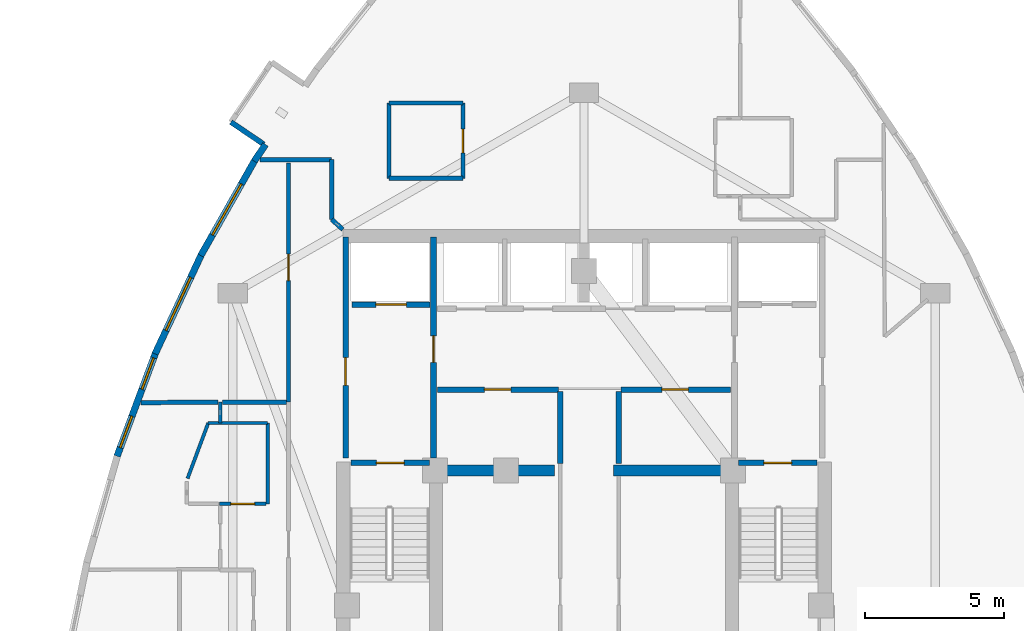
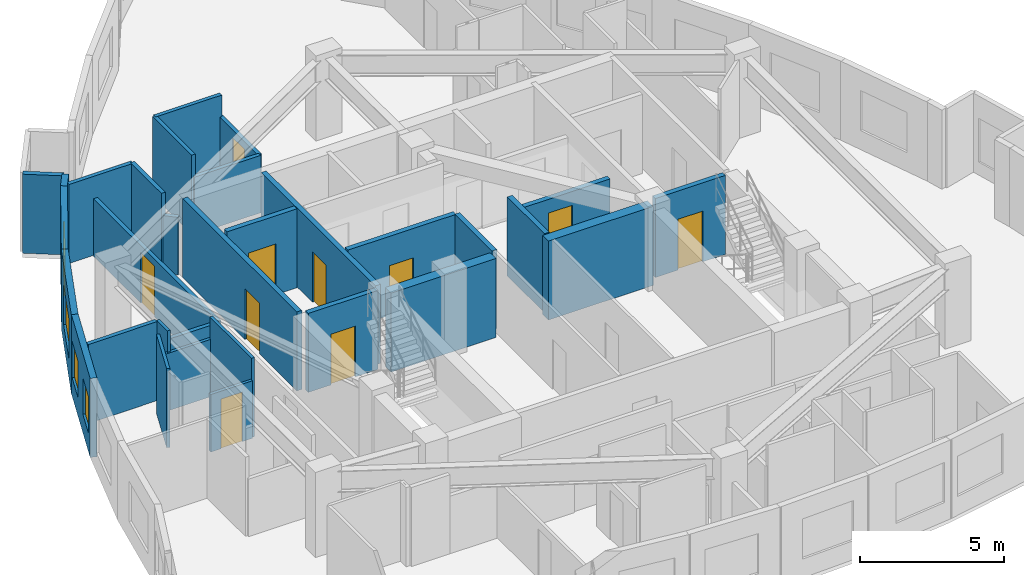
# One storey, part 9 of 13: 31 walls, 10 doors, 4 windows, 14 openings.
"""IFC4 building model written with IfcOpenShell, lengths in metres."""

from ifc_helpers import new_model, si_unit, direction, frame, frame_2d, origin, place, context, subcontext, project, spatial, rectangle, extrude, material, layer, layer_set, type_object, element, fill, save


model = new_model("IFC4")

# Units and contexts
model_context = context("Model", 3, precision=1e-05, world=origin(), true_north=direction((0.0, 1.0)))
body_context = subcontext(model_context, "Body", "Model", "MODEL_VIEW")
ifc_project = project(units=[si_unit("LENGTHUNIT", "METRE"), si_unit("AREAUNIT", "SQUARE_METRE"), si_unit("VOLUMEUNIT", "CUBIC_METRE"), si_unit("PLANEANGLEUNIT", "RADIAN"), si_unit("MASSUNIT", "GRAM", prefix="KILO")], contexts=[model_context])

# Site, building, storey
site_placement = place(None, origin())
site = spatial("IfcSite", under=ifc_project, at=site_placement, CompositionType="ELEMENT")
building_placement = place(site_placement, origin())
building = spatial("IfcBuilding", under=site, at=building_placement, Name="Miruveldt Soraemaru", CompositionType="ELEMENT")
storey_placement = place(building_placement, frame((0.0, 0.0, 198.0)))
storey = spatial("IfcBuildingStorey", under=building, at=storey_placement, Name="L54", CompositionType="ELEMENT", Elevation=198.0)

# Walls
ifc_material_1 = material(Name="White powder-coated aluminium EN AW-6060 T6", Category="aluminium")
ifc_layer_1 = layer(ifc_material_1, 0.18994140625, Name="White powder-coated aluminium EN AW-6060 T6", Category="aluminium")
ifc_layer_set_1 = layer_set([ifc_layer_1], Name="White powder-coated aluminium EN AW-6060 T6")
wall_type_1 = type_object("IfcWallType", Name="WALL-BAY-ALU190", PredefinedType="SOLIDWALL", material=ifc_layer_set_1)
wall_1_placement = place(storey_placement, frame((31.33349609375, 56.547119140625, 0.0), z_axis=(0.0, 0.0, 1.0), x_axis=(0.827862228344, -0.560931485016, 0.0)))
element("IfcWall", 1, at=wall_1_placement, inside=storey, type_object=wall_type_1, Name="L54 Bay Window Side Cheek 1R", PredefinedType="SOLIDWALL", context=body_context, shape_type="SweptSolid", body=[
    extrude(rectangle(XDim=1.425048828125, YDim=0.18994140625, at=frame_2d((0.71240234375, 0.0))), origin(), (0.0, 0.0, 1.0), 3.344970703125),
])
ifc_material_2 = material(Name="Concrete C70/85 (70 MPa)", Category="concrete")
ifc_layer_2 = layer(ifc_material_2, 0.5, Name="Concrete C70/85 (70 MPa)", Category="concrete")
ifc_layer_set_2 = layer_set([ifc_layer_2], Name="Concrete C70/85 (70 MPa)")
wall_type_2 = type_object("IfcWallType", Name="WALL-BW-500", PredefinedType="SHEAR", material=ifc_layer_set_2)
for number, where, z_axis, x_axis, name in (
    (2, (38.75, 44.050048828125, 0.0), (0.0, 0.0, 1.0), (1.0, 0.0, 0.0), "L54 Core Buttress Shear Wall BW"),
    (3, (45.050048828125, 44.050048828125, 0.0), (0.0, 0.0, 1.0), (1.0, 0.0, 0.0), "L54 Core Buttress Shear Wall BE"),
):
    element("IfcWall", number, at=place(storey_placement, frame(where, z_axis=z_axis, x_axis=x_axis)), inside=storey, type_object=wall_type_2, Name=name, PredefinedType="SHEAR", context=body_context, shape_type="SweptSolid", body=[
        extrude(rectangle(XDim=4.199951171875, YDim=0.39990234375, at=frame_2d((2.10009765625, 0.0))), origin(), (0.0, 0.0, 1.0), 3.344970703125),
    ])
ifc_material_3 = material(Name="Precast concrete C45/55 (45 MPa)", Category="concrete")
ifc_layer_3 = layer(ifc_material_3, 0.239990234375, Name="Precast concrete C45/55 (45 MPa)", Category="concrete")
ifc_layer_set_3 = layer_set([ifc_layer_3], Name="Precast concrete C45/55 (45 MPa)")
wall_type_3 = type_object("IfcWallType", Name="WALL-EXT-PC240", PredefinedType="SOLIDWALL", material=ifc_layer_set_3)
wall_2_placement = place(storey_placement, frame((32.575439453125, 55.74169921875, 0.0), z_axis=(0.0, 0.0, 1.0), x_axis=(-0.560765978718, -0.827974345685, 0.0)))
element("IfcWall", 4, at=wall_2_placement, inside=storey, type_object=wall_type_3, Name="L54 Precast Pier Wall 9B", PredefinedType="SOLIDWALL", context=body_context, shape_type="SweptSolid", body=[
    extrude(rectangle(XDim=0.72265625, YDim=0.239990234375, at=frame_2d((0.361328125, 0.0))), origin(), (0.0, 0.0, 1.0), 3.344970703125),
])

# Wall, opening, window
wall_3_placement = place(storey_placement, frame((32.20703125, 55.20263671875, 0.0), z_axis=(0.0, 0.0, 1.0), x_axis=(-0.493374910117, -0.869816761202, 0.0)))
wall_3 = element("IfcWall", 5, at=wall_3_placement, inside=storey, type_object=wall_type_3, Name="L54 Precast Concrete Facade Wall 10", PredefinedType="SOLIDWALL", context=body_context, shape_type="SweptSolid", body=[
    extrude(rectangle(XDim=3.960693359375, YDim=0.239990234375, at=frame_2d((1.98046875, 0.0))), origin(), (0.0, 0.0, 1.0), 3.344970703125),
])
opening_1_placement = place(wall_3_placement, frame((1.010986328125, 0.0, 0.800048828125)))
opening_1 = element("IfcOpeningElement", 6, at=opening_1_placement, cuts=wall_3, Name="Opening WN-1", PredefinedType="OPENING", context=body_context, shape_type="SweptSolid", body=[
    extrude(rectangle(XDim=2.10009765625, YDim=1.699951171875, at=frame_2d((1.050048828125, 0.85009765625))), frame((0.0, 0.1298828125, 0.0), z_axis=(0.0, -1.0, 0.0), x_axis=(1.0, 0.0, 0.0)), (0.0, 0.0, 1.0), 0.260009765625),
])
ifc_material_4 = material(Name="Triple low-e insulated glazing", Category="glass")
window_type_1 = type_object("IfcWindowType", Name="WIN-PUNCH-2100x1700", PartitioningType="SINGLE_PANEL", PredefinedType="WINDOW", material=ifc_material_4)
window_1_placement = place(opening_1_placement, origin())
window_1 = element("IfcWindow", 7, at=window_1_placement, inside=storey, type_object=window_type_1, Name="L54 Punched Triple-Glazed Window 10.1", OverallHeight=1.699951171875, OverallWidth=2.10009765625, PartitioningType="SINGLE_PANEL", PredefinedType="WINDOW", context=body_context, shape_type="SweptSolid", body=[
    extrude(rectangle(XDim=2.10009765625, YDim=1.699951171875, at=frame_2d((1.050048828125, 0.85009765625))), frame((0.0, 0.030029296875, 0.0), z_axis=(0.0, -1.0, 0.0), x_axis=(1.0, 0.0, 0.0)), (0.0, 0.0, 1.0), 0.06005859375),
])
fill(opening_1, window_1)

wall_4_placement = place(storey_placement, frame((30.28515625, 51.819580078125, 0.0), z_axis=(0.0, 0.0, 1.0), x_axis=(-0.422311701836, -0.906450675157, 0.0)))
wall_4 = element("IfcWall", 8, at=wall_4_placement, inside=storey, type_object=wall_type_3, Name="L54 Precast Concrete Facade Wall 11", PredefinedType="SOLIDWALL", context=body_context, shape_type="SweptSolid", body=[
    extrude(rectangle(XDim=3.960693359375, YDim=0.239990234375, at=frame_2d((1.98046875, 0.0))), origin(), (0.0, 0.0, 1.0), 3.344970703125),
])
opening_2_placement = place(wall_4_placement, frame((0.930908203125, 0.0, 0.800048828125)))
opening_2 = element("IfcOpeningElement", 9, at=opening_2_placement, cuts=wall_4, Name="Opening WN-1", PredefinedType="OPENING", context=body_context, shape_type="SweptSolid", body=[
    extrude(rectangle(XDim=2.10009765625, YDim=1.699951171875, at=frame_2d((1.050048828125, 0.85009765625))), frame((0.0, 0.1298828125, 0.0), z_axis=(0.0, -1.0, 0.0), x_axis=(1.0, 0.0, 0.0)), (0.0, 0.0, 1.0), 0.260009765625),
])
window_2_placement = place(opening_2_placement, origin())
window_2 = element("IfcWindow", 10, at=window_2_placement, inside=storey, type_object=window_type_1, Name="L54 Punched Triple-Glazed Window 11.1", OverallHeight=1.699951171875, OverallWidth=2.10009765625, PartitioningType="SINGLE_PANEL", PredefinedType="WINDOW", context=body_context, shape_type="SweptSolid", body=[
    extrude(rectangle(XDim=2.10009765625, YDim=1.699951171875, at=frame_2d((1.050048828125, 0.85009765625))), frame((0.0, 0.030029296875, 0.0), z_axis=(0.0, -1.0, 0.0), x_axis=(1.0, 0.0, 0.0)), (0.0, 0.0, 1.0), 0.06005859375),
])
fill(opening_2, window_2)

# Wall, openings, windows
wall_5_placement = place(storey_placement, frame((28.639404296875, 48.294189453125, 0.0), z_axis=(0.0, 0.0, 1.0), x_axis=(-0.348967690972, -0.937134755869, 0.0)))
wall_5 = element("IfcWall", 11, at=wall_5_placement, inside=storey, type_object=wall_type_3, Name="L54 Precast Concrete Facade Wall 12", PredefinedType="SOLIDWALL", context=body_context, shape_type="SweptSolid", body=[
    extrude(rectangle(XDim=3.985595703125, YDim=0.239990234375, at=frame_2d((1.99267578125, 0.0))), origin(), (0.0, 0.0, 1.0), 3.344970703125),
])
opening_3_placement = place(wall_5_placement, frame((0.222900390625, 0.0, 0.780029296875)))
opening_3 = element("IfcOpeningElement", 12, at=opening_3_placement, cuts=wall_5, Name="Opening WN-4", PredefinedType="OPENING", context=body_context, shape_type="SweptSolid", body=[
    extrude(rectangle(XDim=1.199951171875, YDim=1.550048828125, at=frame_2d((0.60009765625, 0.77490234375))), frame((0.0, 0.1298828125, 0.0), z_axis=(0.0, -1.0, 0.0), x_axis=(1.0, 0.0, 0.0)), (0.0, 0.0, 1.0), 0.260009765625),
])
opening_4_placement = place(wall_5_placement, frame((2.4560546875, 0.0, 0.780029296875)))
opening_4 = element("IfcOpeningElement", 13, at=opening_4_placement, cuts=wall_5, Name="Opening WN-4", PredefinedType="OPENING", context=body_context, shape_type="SweptSolid", body=[
    extrude(rectangle(XDim=1.199951171875, YDim=1.550048828125, at=frame_2d((0.60009765625, 0.77490234375))), frame((0.0, 0.1298828125, 0.0), z_axis=(0.0, -1.0, 0.0), x_axis=(1.0, 0.0, 0.0)), (0.0, 0.0, 1.0), 0.260009765625),
])
window_type_2 = type_object("IfcWindowType", Name="WIN-PUNCH-1200x1550", PartitioningType="SINGLE_PANEL", PredefinedType="WINDOW", material=ifc_material_4)
window_3_placement = place(opening_3_placement, origin())
window_3 = element("IfcWindow", 14, at=window_3_placement, inside=storey, type_object=window_type_2, Name="L54 Punched Triple-Glazed Window 12.1", OverallHeight=1.550048828125, OverallWidth=1.199951171875, PartitioningType="SINGLE_PANEL", PredefinedType="WINDOW", context=body_context, shape_type="SweptSolid", body=[
    extrude(rectangle(XDim=1.199951171875, YDim=1.550048828125, at=frame_2d((0.60009765625, 0.77490234375))), frame((0.0, 0.030029296875, 0.0), z_axis=(0.0, -1.0, 0.0), x_axis=(1.0, 0.0, 0.0)), (0.0, 0.0, 1.0), 0.06005859375),
])
fill(opening_3, window_3)
window_4_placement = place(opening_4_placement, origin())
window_4 = element("IfcWindow", 15, at=window_4_placement, inside=storey, type_object=window_type_2, Name="L54 Punched Triple-Glazed Window 12.2", OverallHeight=1.550048828125, OverallWidth=1.199951171875, PartitioningType="SINGLE_PANEL", PredefinedType="WINDOW", context=body_context, shape_type="SweptSolid", body=[
    extrude(rectangle(XDim=1.199951171875, YDim=1.550048828125, at=frame_2d((0.60009765625, 0.77490234375))), frame((0.0, 0.030029296875, 0.0), z_axis=(0.0, -1.0, 0.0), x_axis=(1.0, 0.0, 0.0)), (0.0, 0.0, 1.0), 0.06005859375),
])
fill(opening_4, window_4)

# Wall, opening, door
ifc_material_5 = material(Name="Gypsum plasterboard lining", Category="gypsum")
ifc_layer_4 = layer(ifc_material_5, 0.1201171875, Name="Gypsum plasterboard lining", Category="gypsum")
ifc_layer_set_4 = layer_set([ifc_layer_4], Name="Gypsum plasterboard lining")
wall_type_4 = type_object("IfcWallType", Name="WALL-INT-P120", PredefinedType="PARTITIONING", material=ifc_layer_set_4)
wall_6_placement = place(storey_placement, frame((32.590087890625, 42.85009765625, 0.0), z_axis=(0.0, 0.0, 1.0), x_axis=(-1.0, 0.0, 0.0)))
wall_6 = element("IfcWall", 16, at=wall_6_placement, inside=storey, type_object=wall_type_4, Name="L54 Partition Wall 36", PredefinedType="PARTITIONING", context=body_context, shape_type="SweptSolid", body=[
    extrude(rectangle(XDim=1.670166015625, YDim=0.1201171875, at=frame_2d((0.8349609375, 0.0))), origin(), (0.0, 0.0, 1.0), 2.43310546875),
])
opening_5_placement = place(wall_6_placement, frame((0.405029296875, 0.0, 0.0)))
opening_5 = element("IfcOpeningElement", 17, at=opening_5_placement, cuts=wall_6, Name="Opening FD3", PredefinedType="OPENING", context=body_context, shape_type="SweptSolid", body=[
    extrude(rectangle(XDim=0.85009765625, YDim=2.10009765625, at=frame_2d((0.425048828125, 1.050048828125))), frame((0.0, 0.070068359375, 0.0), z_axis=(0.0, -1.0, 0.0), x_axis=(1.0, 0.0, 0.0)), (0.0, 0.0, 1.0), 0.14013671875),
])
ifc_material_6 = material(Name="Anodised aluminium EN AW-6063 T6", Category="aluminium")
door_type_1 = type_object("IfcDoorType", Name="DOOR-FD3-850", OperationType="NOTDEFINED", PredefinedType="DOOR", material=ifc_material_6)
door_1_placement = place(opening_5_placement, origin())
door_1 = element("IfcDoor", 18, at=door_1_placement, inside=storey, type_object=door_type_1, Name="L54 Unit 5403 KIT Door", OperationType="SINGLE_SWING_RIGHT", OverallHeight=2.10009765625, OverallWidth=0.85009765625, PredefinedType="DOOR", context=body_context, shape_type="SweptSolid", body=[
    extrude(rectangle(XDim=0.85009765625, YDim=2.10009765625, at=frame_2d((0.425048828125, 1.050048828125))), frame((0.0, 0.02490234375, 0.0), z_axis=(0.0, -1.0, 0.0), x_axis=(1.0, 0.0, 0.0)), (0.0, 0.0, 1.0), 0.050048828125),
])
fill(opening_5, door_1)

# Walls
wall_7_placement = place(storey_placement, frame((32.64990234375, 45.75, 0.0), z_axis=(0.0, 0.0, 1.0), x_axis=(0.0, -1.0, 0.0)))
element("IfcWall", 19, at=wall_7_placement, inside=storey, type_object=wall_type_4, Name="L54 Partition Wall 37", PredefinedType="PARTITIONING", context=body_context, shape_type="SweptSolid", body=[
    extrude(rectangle(XDim=2.89990234375, YDim=0.1201171875, at=frame_2d((1.449951171875, 0.0))), origin(), (0.0, 0.0, 1.0), 3.344970703125),
])
wall_8_placement = place(storey_placement, frame((30.52001953125, 45.75, 0.0), z_axis=(0.0, 0.0, 1.0), x_axis=(1.0, 0.0, 0.0)))
element("IfcWall", 20, at=wall_8_placement, inside=storey, type_object=wall_type_4, Name="L54 Partition Wall 62", PredefinedType="PARTITIONING", context=body_context, shape_type="SweptSolid", body=[
    extrude(rectangle(XDim=2.1298828125, YDim=0.1201171875, at=frame_2d((1.06494140625, 0.0))), origin(), (0.0, 0.0, 1.0), 2.43310546875),
])
wall_9_placement = place(storey_placement, frame((30.52001953125, 45.75, 0.0), z_axis=(0.0, 0.0, 1.0), x_axis=(-0.3491407566, -0.937070291964, 0.0)))
element("IfcWall", 21, at=wall_9_placement, inside=storey, type_object=wall_type_4, Name="L54 Partition Wall 40", PredefinedType="PARTITIONING", context=body_context, shape_type="SweptSolid", body=[
    extrude(rectangle(XDim=2.119384765625, YDim=0.1201171875, at=frame_2d((1.0595703125, 0.0))), origin(), (0.0, 0.0, 1.0), 3.344970703125),
])
wall_10_placement = place(storey_placement, frame((30.949951171875, 46.5, 0.0), z_axis=(0.0, 0.0, 1.0), x_axis=(0.0, -1.0, 0.0)))
element("IfcWall", 22, at=wall_10_placement, inside=storey, type_object=wall_type_4, Name="L54 Partition Wall 38", PredefinedType="PARTITIONING", context=body_context, shape_type="SweptSolid", body=[
    extrude(rectangle(XDim=0.75, YDim=0.1201171875, at=frame_2d((0.375, 0.0))), origin(), (0.0, 0.0, 1.0), 3.344970703125),
])

# Wall, opening, door
ifc_layer_5 = layer(ifc_material_5, 0.14990234375, Name="Gypsum plasterboard lining", Category="gypsum")
ifc_layer_set_5 = layer_set([ifc_layer_5], Name="Gypsum plasterboard lining")
wall_type_5 = type_object("IfcWallType", Name="WALL-INT-PLUMB", PredefinedType="PLUMBINGWALL", material=ifc_layer_set_5)
wall_11_placement = place(storey_placement, frame((39.656982421875, 54.530029296875, 0.0), z_axis=(0.0, 0.0, 1.0), x_axis=(0.0, 1.0, 0.0)))
wall_11 = element("IfcWall", 23, at=wall_11_placement, inside=storey, type_object=wall_type_5, Name="L54 Partition Wall 12", PredefinedType="PLUMBINGWALL", context=body_context, shape_type="SweptSolid", body=[
    extrude(rectangle(XDim=2.699951171875, YDim=0.14990234375, at=frame_2d((1.35009765625, 0.0))), origin(), (0.0, 0.0, 1.0), 2.43310546875),
])
opening_6_placement = place(wall_11_placement, frame((0.909912109375, 0.0, 0.0)))
opening_6 = element("IfcOpeningElement", 24, at=opening_6_placement, cuts=wall_11, Name="Opening FD3", PredefinedType="OPENING", context=body_context, shape_type="SweptSolid", body=[
    extrude(rectangle(XDim=0.85009765625, YDim=2.10009765625, at=frame_2d((0.425048828125, 1.050048828125))), frame((0.0, 0.0849609375, 0.0), z_axis=(0.0, -1.0, 0.0), x_axis=(1.0, 0.0, 0.0)), (0.0, 0.0, 1.0), 0.169921875),
])
door_2_placement = place(opening_6_placement, origin())
door_2 = element("IfcDoor", 25, at=door_2_placement, inside=storey, type_object=door_type_1, Name="L54 Unit 5401 BTH Door", OperationType="SINGLE_SWING_RIGHT", OverallHeight=2.10009765625, OverallWidth=0.85009765625, PredefinedType="DOOR", context=body_context, shape_type="SweptSolid", body=[
    extrude(rectangle(XDim=0.85009765625, YDim=2.10009765625, at=frame_2d((0.425048828125, 1.050048828125))), frame((0.0, 0.02490234375, 0.0), z_axis=(0.0, -1.0, 0.0), x_axis=(1.0, 0.0, 0.0)), (0.0, 0.0, 1.0), 0.050048828125),
])
fill(opening_6, door_2)

# Walls
wall_12_placement = place(storey_placement, frame((37.007080078125, 57.22998046875, 0.0), z_axis=(0.0, 0.0, 1.0), x_axis=(0.0, -1.0, 0.0)))
element("IfcWall", 26, at=wall_12_placement, inside=storey, type_object=wall_type_5, Name="L54 Partition Wall 14", PredefinedType="PLUMBINGWALL", context=body_context, shape_type="SweptSolid", body=[
    extrude(rectangle(XDim=2.699951171875, YDim=0.14990234375, at=frame_2d((1.35009765625, 0.0))), origin(), (0.0, 0.0, 1.0), 3.344970703125),
])
wall_13_placement = place(storey_placement, frame((39.656982421875, 57.22998046875, 0.0), z_axis=(0.0, 0.0, 1.0), x_axis=(-1.0, 0.0, 0.0)))
element("IfcWall", 27, at=wall_13_placement, inside=storey, type_object=wall_type_5, Name="L54 Partition Wall 13", PredefinedType="PLUMBINGWALL", context=body_context, shape_type="SweptSolid", body=[
    extrude(rectangle(XDim=2.64990234375, YDim=0.14990234375, at=frame_2d((1.324951171875, 0.0))), origin(), (0.0, 0.0, 1.0), 3.344970703125),
])
wall_14_placement = place(storey_placement, frame((37.007080078125, 54.530029296875, 0.0), z_axis=(0.0, 0.0, 1.0), x_axis=(1.0, 0.0, 0.0)))
element("IfcWall", 28, at=wall_14_placement, inside=storey, type_object=wall_type_5, Name="L54 Partition Wall 15", PredefinedType="PLUMBINGWALL", context=body_context, shape_type="SweptSolid", body=[
    extrude(rectangle(XDim=2.64990234375, YDim=0.14990234375, at=frame_2d((1.324951171875, 0.0))), origin(), (0.0, 0.0, 1.0), 2.43310546875),
])

# Wall, opening, door
ifc_material_7 = material(Name="Concrete C40/50 (40 MPa)", Category="concrete")
ifc_layer_6 = layer(ifc_material_7, 0.159912109375, Name="Concrete C40/50 (40 MPa)", Category="concrete")
ifc_layer_set_6 = layer_set([ifc_layer_6], Name="Concrete C40/50 (40 MPa)")
wall_type_6 = type_object("IfcWallType", Name="WALL-INT-RC160", PredefinedType="SOLIDWALL", material=ifc_layer_set_6)
wall_15_placement = place(storey_placement, frame((33.39990234375, 55.080078125, 0.0), z_axis=(0.0, 0.0, 1.0), x_axis=(0.0, -1.0, 0.0)))
wall_15 = element("IfcWall", 29, at=wall_15_placement, inside=storey, type_object=wall_type_6, Name="L54 Partition Wall 3", PredefinedType="SOLIDWALL", context=body_context, shape_type="SweptSolid", body=[
    extrude(rectangle(XDim=8.5751953125, YDim=0.159912109375, at=frame_2d((4.28759765625, 0.0))), origin(), (0.0, 0.0, 1.0), 2.43310546875),
])
opening_7_placement = place(wall_15_placement, frame((3.27197265625, 0.0, 0.0)))
opening_7 = element("IfcOpeningElement", 30, at=opening_7_placement, cuts=wall_15, Name="Opening FD2", PredefinedType="OPENING", context=body_context, shape_type="SweptSolid", body=[
    extrude(rectangle(XDim=0.949951171875, YDim=2.14990234375, at=frame_2d((0.47509765625, 1.074951171875))), frame((0.0, 0.08984375, 0.0), z_axis=(0.0, -1.0, 0.0), x_axis=(1.0, 0.0, 0.0)), (0.0, 0.0, 1.0), 0.179931640625),
])
door_type_2 = type_object("IfcDoorType", Name="DOOR-FD2-950", OperationType="NOTDEFINED", PredefinedType="DOOR", material=ifc_material_6)
door_3_placement = place(opening_7_placement, origin())
door_3 = element("IfcDoor", 31, at=door_3_placement, inside=storey, type_object=door_type_2, Name="L54 Unit 5401 Entrance Fire Door", OperationType="SINGLE_SWING_LEFT", OverallHeight=2.14990234375, OverallWidth=0.949951171875, PredefinedType="DOOR", context=body_context, shape_type="SweptSolid", body=[
    extrude(rectangle(XDim=0.949951171875, YDim=2.14990234375, at=frame_2d((0.47509765625, 1.074951171875))), frame((0.0, 0.02490234375, 0.0), z_axis=(0.0, -1.0, 0.0), x_axis=(1.0, 0.0, 0.0)), (0.0, 0.0, 1.0), 0.050048828125),
])
fill(opening_7, door_3)

# Walls
wall_16_placement = place(storey_placement, frame((28.10791015625, 46.48095703125, 0.0), z_axis=(0.0, 0.0, 1.0), x_axis=(0.999978611163, 0.006540429311, 0.0)))
element("IfcWall", 32, at=wall_16_placement, inside=storey, type_object=wall_type_6, Name="L54 Partition Wall 22", PredefinedType="SOLIDWALL", context=body_context, shape_type="SweptSolid", body=[
    extrude(rectangle(XDim=2.76220703125, YDim=0.159912109375, at=frame_2d((1.381103515625, 0.0))), origin(), (0.0, 0.0, 1.0), 3.344970703125),
])
wall_17_placement = place(storey_placement, frame((34.949951171875, 55.199951171875, 0.0), z_axis=(0.0, 0.0, 1.0), x_axis=(-1.0, 0.0, 0.0)))
element("IfcWall", 33, at=wall_17_placement, inside=storey, type_object=wall_type_6, Name="L54 Partition Wall 2", PredefinedType="SOLIDWALL", context=body_context, shape_type="SweptSolid", body=[
    extrude(rectangle(XDim=2.577880859375, YDim=0.159912109375, at=frame_2d((1.2890625, 0.0))), origin(), (0.0, 0.0, 1.0), 3.344970703125),
])
wall_18_placement = place(storey_placement, frame((31.030029296875, 46.5, 0.0), z_axis=(0.0, 0.0, 1.0), x_axis=(1.0, 0.0, 0.0)))
element("IfcWall", 34, at=wall_18_placement, inside=storey, type_object=wall_type_6, Name="L54 Partition Wall 21", PredefinedType="SOLIDWALL", context=body_context, shape_type="SweptSolid", body=[
    extrude(rectangle(XDim=2.2900390625, YDim=0.159912109375, at=frame_2d((1.14501953125, 0.0))), origin(), (0.0, 0.0, 1.0), 2.43310546875),
])
wall_19_placement = place(storey_placement, frame((34.949951171875, 53.054931640625, 0.0), z_axis=(0.0, 0.0, 1.0), x_axis=(0.0, 1.0, 0.0)))
element("IfcWall", 35, at=wall_19_placement, inside=storey, type_object=wall_type_6, Name="L54 Partition Wall 1", PredefinedType="SOLIDWALL", context=body_context, shape_type="SweptSolid", body=[
    extrude(rectangle(XDim=2.14501953125, YDim=0.159912109375, at=frame_2d((1.072509765625, 0.0))), origin(), (0.0, 0.0, 1.0), 3.344970703125),
])
wall_20_placement = place(storey_placement, frame((34.949951171875, 53.054931640625, 0.0), z_axis=(0.0, 0.0, 1.0), x_axis=(0.738817210736, -0.673905875565, 0.0)))
element("IfcWall", 36, at=wall_20_placement, inside=storey, type_object=wall_type_6, Name="L54 Partition Closure Return 1", PredefinedType="SOLIDWALL", context=body_context, shape_type="SweptSolid", body=[
    extrude(rectangle(XDim=0.54150390625, YDim=0.159912109375, at=frame_2d((0.270751953125, 0.0))), origin(), (0.0, 0.0, 1.0), 2.43310546875),
])

# Wall, opening, door
ifc_layer_7 = layer(ifc_material_7, 0.199951171875, Name="Concrete C40/50 (40 MPa)", Category="concrete")
ifc_layer_set_7 = layer_set([ifc_layer_7], Name="Concrete C40/50 (40 MPa)")
wall_type_7 = type_object("IfcWallType", Name="WALL-INT-RC200", PredefinedType="SOLIDWALL", material=ifc_layer_set_7)
wall_21_placement = place(storey_placement, frame((35.449951171875, 44.5, 0.0), z_axis=(0.0, 0.0, 1.0), x_axis=(0.0, 1.0, 0.0)))
wall_21 = element("IfcWall", 37, at=wall_21_placement, inside=storey, type_object=wall_type_7, Name="L54 Core Compartment Wall FFW-OUT", PredefinedType="SOLIDWALL", context=body_context, shape_type="SweptSolid", body=[
    extrude(rectangle(XDim=7.919921875, YDim=0.199951171875, at=frame_2d((3.9599609375, 0.0))), origin(), (0.0, 0.0, 1.0), 3.344970703125),
])
opening_8_placement = place(wall_21_placement, frame((2.60009765625, 0.0, 0.0)))
opening_8 = element("IfcOpeningElement", 38, at=opening_8_placement, cuts=wall_21, Name="Opening FD1", PredefinedType="OPENING", context=body_context, shape_type="SweptSolid", body=[
    extrude(rectangle(XDim=1.0, YDim=2.14990234375, at=frame_2d((0.5, 1.074951171875))), frame((0.0, 0.10986328125, 0.0), z_axis=(0.0, -1.0, 0.0), x_axis=(1.0, 0.0, 0.0)), (0.0, 0.0, 1.0), 0.219970703125),
])
door_type_3 = type_object("IfcDoorType", Name="DOOR-FD1-1000", OperationType="NOTDEFINED", PredefinedType="DOOR", material=ifc_material_6)
door_4_placement = place(opening_8_placement, origin())
door_4 = element("IfcDoor", 39, at=door_4_placement, inside=storey, type_object=door_type_3, Name="L54 West Firefighting Lobby Exit Door", OperationType="SINGLE_SWING_LEFT", OverallHeight=2.14990234375, OverallWidth=1.0, PredefinedType="DOOR", context=body_context, shape_type="SweptSolid", body=[
    extrude(rectangle(XDim=1.0, YDim=2.14990234375, at=frame_2d((0.5, 1.074951171875))), frame((0.0, 0.02490234375, 0.0), z_axis=(0.0, -1.0, 0.0), x_axis=(1.0, 0.0, 0.0)), (0.0, 0.0, 1.0), 0.050048828125),
])
fill(opening_8, door_4)

wall_22_placement = place(storey_placement, frame((38.60009765625, 44.5, 0.0), z_axis=(0.0, 0.0, 1.0), x_axis=(0.0, 1.0, 0.0)))
wall_22 = element("IfcWall", 40, at=wall_22_placement, inside=storey, type_object=wall_type_7, Name="L54 Core Compartment Wall FFW-IN", PredefinedType="SOLIDWALL", context=body_context, shape_type="SweptSolid", body=[
    extrude(rectangle(XDim=7.919921875, YDim=0.199951171875, at=frame_2d((3.9599609375, 0.0))), origin(), (0.0, 0.0, 1.0), 3.344970703125),
])
opening_9_placement = place(wall_22_placement, frame((3.425048828125, 0.0, 0.0)))
opening_9 = element("IfcOpeningElement", 41, at=opening_9_placement, cuts=wall_22, Name="Opening FD2", PredefinedType="OPENING", context=body_context, shape_type="SweptSolid", body=[
    extrude(rectangle(XDim=0.949951171875, YDim=2.14990234375, at=frame_2d((0.47509765625, 1.074951171875))), frame((0.0, 0.10986328125, 0.0), z_axis=(0.0, -1.0, 0.0), x_axis=(1.0, 0.0, 0.0)), (0.0, 0.0, 1.0), 0.219970703125),
])
door_5_placement = place(opening_9_placement, frame((0.949951171875, 0.0, 0.0), z_axis=(0.0, 0.0, 1.0), x_axis=(-1.0, 0.0, 0.0)))
door_5 = element("IfcDoor", 42, at=door_5_placement, inside=storey, type_object=door_type_2, Name="L54 Lift Lobby to West Fire Lobby Door", OperationType="SINGLE_SWING_RIGHT", OverallHeight=2.14990234375, OverallWidth=0.949951171875, PredefinedType="DOOR", context=body_context, shape_type="SweptSolid", body=[
    extrude(rectangle(XDim=0.949951171875, YDim=2.14990234375, at=frame_2d((0.47509765625, 1.074951171875))), frame((0.0, 0.02490234375, 0.0), z_axis=(0.0, -1.0, 0.0), x_axis=(1.0, 0.0, 0.0)), (0.0, 0.0, 1.0), 0.050048828125),
])
fill(opening_9, door_5)

wall_23_placement = place(storey_placement, frame((38.75, 46.949951171875, 0.0), z_axis=(0.0, 0.0, 1.0), x_axis=(1.0, 0.0, 0.0)))
wall_23 = element("IfcWall", 43, at=wall_23_placement, inside=storey, type_object=wall_type_7, Name="L54 Core Compartment Wall MBW-N", PredefinedType="SOLIDWALL", context=body_context, shape_type="SweptSolid", body=[
    extrude(rectangle(XDim=4.330078125, YDim=0.199951171875, at=frame_2d((2.1650390625, 0.0))), origin(), (0.0, 0.0, 1.0), 3.344970703125),
])
opening_10_placement = place(wall_23_placement, frame((1.675048828125, 0.0, 0.0)))
opening_10 = element("IfcOpeningElement", 44, at=opening_10_placement, cuts=wall_23, Name="Opening D2", PredefinedType="OPENING", context=body_context, shape_type="SweptSolid", body=[
    extrude(rectangle(XDim=0.949951171875, YDim=2.10009765625, at=frame_2d((0.47509765625, 1.050048828125))), frame((0.0, 0.10986328125, 0.0), z_axis=(0.0, -1.0, 0.0), x_axis=(1.0, 0.0, 0.0)), (0.0, 0.0, 1.0), 0.219970703125),
])
door_type_4 = type_object("IfcDoorType", Name="DOOR-INT-950", OperationType="NOTDEFINED", PredefinedType="DOOR", material=ifc_material_6)
door_6_placement = place(opening_10_placement, origin())
door_6 = element("IfcDoor", 45, at=door_6_placement, inside=storey, type_object=door_type_4, Name="L54 Fire Door", OperationType="SINGLE_SWING_LEFT", OverallHeight=2.10009765625, OverallWidth=0.949951171875, PredefinedType="DOOR", context=body_context, shape_type="SweptSolid", body=[
    extrude(rectangle(XDim=0.949951171875, YDim=2.10009765625, at=frame_2d((0.47509765625, 1.050048828125))), frame((0.0, 0.02490234375, 0.0), z_axis=(0.0, -1.0, 0.0), x_axis=(1.0, 0.0, 0.0)), (0.0, 0.0, 1.0), 0.050048828125),
])
fill(opening_10, door_6)

wall_24_placement = place(storey_placement, frame((45.320068359375, 46.949951171875, 0.0), z_axis=(0.0, 0.0, 1.0), x_axis=(1.0, 0.0, 0.0)))
wall_24 = element("IfcWall", 46, at=wall_24_placement, inside=storey, type_object=wall_type_7, Name="L54 Core Compartment Wall MBE-N", PredefinedType="SOLIDWALL", context=body_context, shape_type="SweptSolid", body=[
    extrude(rectangle(XDim=3.929931640625, YDim=0.199951171875, at=frame_2d((1.96484375, 0.0))), origin(), (0.0, 0.0, 1.0), 2.68310546875),
])
opening_11_placement = place(wall_24_placement, frame((1.47509765625, 0.0, 0.0)))
opening_11 = element("IfcOpeningElement", 47, at=opening_11_placement, cuts=wall_24, Name="Opening D2", PredefinedType="OPENING", context=body_context, shape_type="SweptSolid", body=[
    extrude(rectangle(XDim=0.949951171875, YDim=2.10009765625, at=frame_2d((0.47509765625, 1.050048828125))), frame((0.0, 0.10986328125, 0.0), z_axis=(0.0, -1.0, 0.0), x_axis=(1.0, 0.0, 0.0)), (0.0, 0.0, 1.0), 0.219970703125),
])
door_7_placement = place(opening_11_placement, origin())
door_7 = element("IfcDoor", 48, at=door_7_placement, inside=storey, type_object=door_type_4, Name="L54 Fire Door", OperationType="SINGLE_SWING_LEFT", OverallHeight=2.10009765625, OverallWidth=0.949951171875, PredefinedType="DOOR", context=body_context, shape_type="SweptSolid", body=[
    extrude(rectangle(XDim=0.949951171875, YDim=2.10009765625, at=frame_2d((0.47509765625, 1.050048828125))), frame((0.0, 0.02490234375, 0.0), z_axis=(0.0, -1.0, 0.0), x_axis=(1.0, 0.0, 0.0)), (0.0, 0.0, 1.0), 0.050048828125),
])
fill(opening_11, door_7)

wall_25_placement = place(storey_placement, frame((35.64990234375, 44.320068359375, 0.0), z_axis=(0.0, 0.0, 1.0), x_axis=(1.0, 0.0, 0.0)))
wall_25 = element("IfcWall", 49, at=wall_25_placement, inside=storey, type_object=wall_type_7, Name="L54 Core Compartment Wall ST1-N", PredefinedType="SOLIDWALL", context=body_context, shape_type="SweptSolid", body=[
    extrude(rectangle(XDim=2.800048828125, YDim=0.199951171875, at=frame_2d((1.39990234375, 0.0))), origin(), (0.0, 0.0, 1.0), 3.344970703125),
])
opening_12_placement = place(wall_25_placement, frame((0.89990234375, 0.0, 0.0)))
opening_12 = element("IfcOpeningElement", 50, at=opening_12_placement, cuts=wall_25, Name="Opening FD1", PredefinedType="OPENING", context=body_context, shape_type="SweptSolid", body=[
    extrude(rectangle(XDim=1.0, YDim=2.14990234375, at=frame_2d((0.5, 1.074951171875))), frame((0.0, 0.10986328125, 0.0), z_axis=(0.0, -1.0, 0.0), x_axis=(1.0, 0.0, 0.0)), (0.0, 0.0, 1.0), 0.219970703125),
])
door_8_placement = place(opening_12_placement, frame((1.0, 0.0, 0.0), z_axis=(0.0, 0.0, 1.0), x_axis=(-1.0, 0.0, 0.0)))
door_8 = element("IfcDoor", 51, at=door_8_placement, inside=storey, type_object=door_type_3, Name="L54 Stair ST-1 Fire Door", OperationType="SINGLE_SWING_LEFT", OverallHeight=2.14990234375, OverallWidth=1.0, PredefinedType="DOOR", context=body_context, shape_type="SweptSolid", body=[
    extrude(rectangle(XDim=1.0, YDim=2.14990234375, at=frame_2d((0.5, 1.074951171875))), frame((0.0, 0.02490234375, 0.0), z_axis=(0.0, -1.0, 0.0), x_axis=(1.0, 0.0, 0.0)), (0.0, 0.0, 1.0), 0.050048828125),
])
fill(opening_12, door_8)

wall_26_placement = place(storey_placement, frame((49.550048828125, 44.320068359375, 0.0), z_axis=(0.0, 0.0, 1.0), x_axis=(1.0, 0.0, 0.0)))
wall_26 = element("IfcWall", 52, at=wall_26_placement, inside=storey, type_object=wall_type_7, Name="L54 Core Compartment Wall ST2-N", PredefinedType="SOLIDWALL", context=body_context, shape_type="SweptSolid", body=[
    extrude(rectangle(XDim=2.800048828125, YDim=0.199951171875, at=frame_2d((1.39990234375, 0.0))), origin(), (0.0, 0.0, 1.0), 3.344970703125),
])
opening_13_placement = place(wall_26_placement, frame((0.89990234375, 0.0, 0.0)))
opening_13 = element("IfcOpeningElement", 53, at=opening_13_placement, cuts=wall_26, Name="Opening FD1", PredefinedType="OPENING", context=body_context, shape_type="SweptSolid", body=[
    extrude(rectangle(XDim=1.0, YDim=2.14990234375, at=frame_2d((0.5, 1.074951171875))), frame((0.0, 0.10986328125, 0.0), z_axis=(0.0, -1.0, 0.0), x_axis=(1.0, 0.0, 0.0)), (0.0, 0.0, 1.0), 0.219970703125),
])
door_9_placement = place(opening_13_placement, frame((1.0, 0.0, 0.0), z_axis=(0.0, 0.0, 1.0), x_axis=(-1.0, 0.0, 0.0)))
door_9 = element("IfcDoor", 54, at=door_9_placement, inside=storey, type_object=door_type_3, Name="L54 Stair ST-2 Fire Door", OperationType="SINGLE_SWING_RIGHT", OverallHeight=2.14990234375, OverallWidth=1.0, PredefinedType="DOOR", context=body_context, shape_type="SweptSolid", body=[
    extrude(rectangle(XDim=1.0, YDim=2.14990234375, at=frame_2d((0.5, 1.074951171875))), frame((0.0, 0.02490234375, 0.0), z_axis=(0.0, -1.0, 0.0), x_axis=(1.0, 0.0, 0.0)), (0.0, 0.0, 1.0), 0.050048828125),
])
fill(opening_13, door_9)

wall_27_placement = place(storey_placement, frame((35.679931640625, 50.0, 0.0), z_axis=(0.0, 0.0, 1.0), x_axis=(1.0, 0.0, 0.0)))
wall_27 = element("IfcWall", 55, at=wall_27_placement, inside=storey, type_object=wall_type_7, Name="L54 Core Compartment Wall FFL1-S", PredefinedType="SOLIDWALL", context=body_context, shape_type="SweptSolid", body=[
    extrude(rectangle(XDim=2.800048828125, YDim=0.199951171875, at=frame_2d((1.39990234375, 0.0))), origin(), (0.0, 0.0, 1.0), 3.344970703125),
])
opening_14_placement = place(wall_27_placement, frame((0.85009765625, 0.0, 0.0)))
opening_14 = element("IfcOpeningElement", 56, at=opening_14_placement, cuts=wall_27, Name="Opening LD2", PredefinedType="OPENING", context=body_context, shape_type="SweptSolid", body=[
    extrude(rectangle(XDim=1.10009765625, YDim=2.14990234375, at=frame_2d((0.550048828125, 1.074951171875))), frame((0.0, 0.10986328125, 0.0), z_axis=(0.0, -1.0, 0.0), x_axis=(1.0, 0.0, 0.0)), (0.0, 0.0, 1.0), 0.219970703125),
])
door_type_5 = type_object("IfcDoorType", Name="DOOR-LD2-1100", OperationType="SLIDING_TO_LEFT", PredefinedType="DOOR", material=ifc_material_6)
door_10_placement = place(opening_14_placement, origin())
door_10 = element("IfcDoor", 57, at=door_10_placement, inside=storey, type_object=door_type_5, Name="L54 FFL-1 Landing Door", OperationType="SLIDING_TO_LEFT", OverallHeight=2.14990234375, OverallWidth=1.10009765625, PredefinedType="DOOR", context=body_context, shape_type="SweptSolid", body=[
    extrude(rectangle(XDim=1.10009765625, YDim=2.14990234375, at=frame_2d((0.550048828125, 1.074951171875))), frame((0.0, 0.02490234375, 0.0), z_axis=(0.0, -1.0, 0.0), x_axis=(1.0, 0.0, 0.0)), (0.0, 0.0, 1.0), 0.050048828125),
])
fill(opening_14, door_10)

# Walls
for number, where, z_axis, x_axis, name in (
    (58, (43.14990234375, 44.300048828125, 0.0), (0.0, 0.0, 1.0), (0.0, 1.0, 0.0), "L54 Core Compartment Wall SP-WB"),
    (59, (45.25, 44.300048828125, 0.0), (0.0, 0.0, 1.0), (0.0, 1.0, 0.0), "L54 Core Compartment Wall SP-EB"),
):
    element("IfcWall", number, at=place(storey_placement, frame(where, z_axis=z_axis, x_axis=x_axis)), inside=storey, type_object=wall_type_7, Name=name, PredefinedType="SOLIDWALL", context=body_context, shape_type="SweptSolid", body=[
        extrude(rectangle(XDim=2.579833984375, YDim=0.199951171875, at=frame_2d((1.2900390625, 0.0))), origin(), (0.0, 0.0, 1.0), 3.344970703125),
    ])

save(model, "model.ifc")
